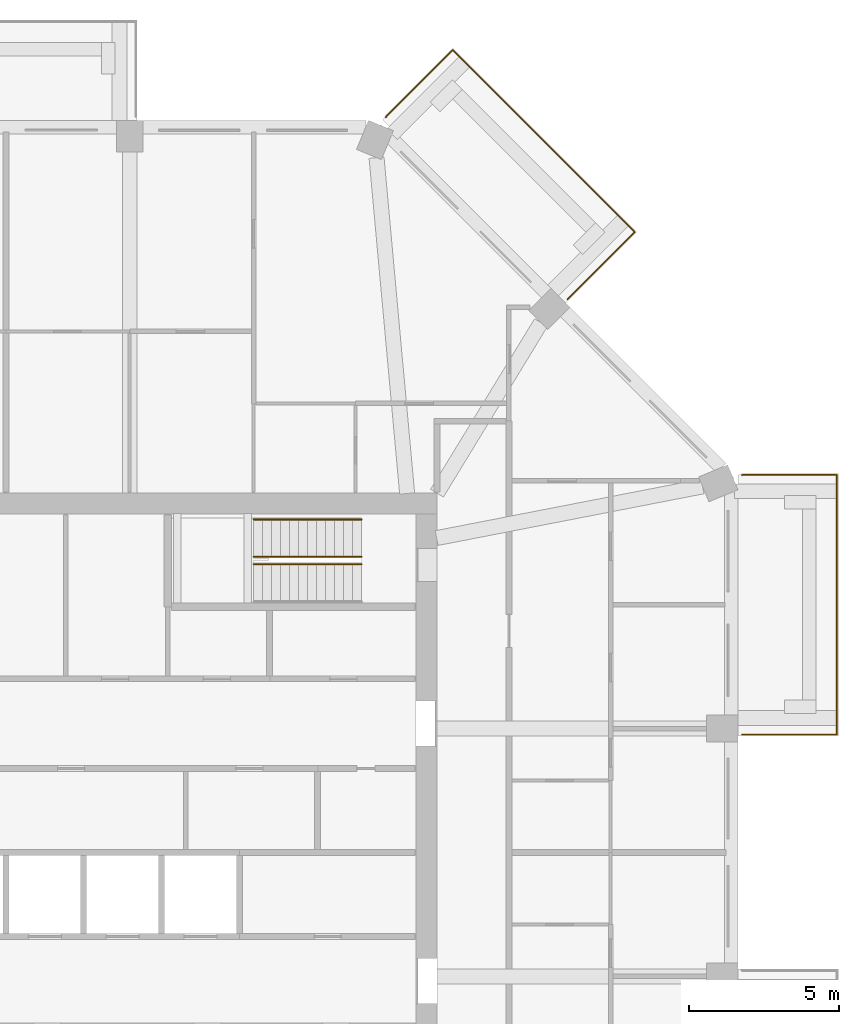
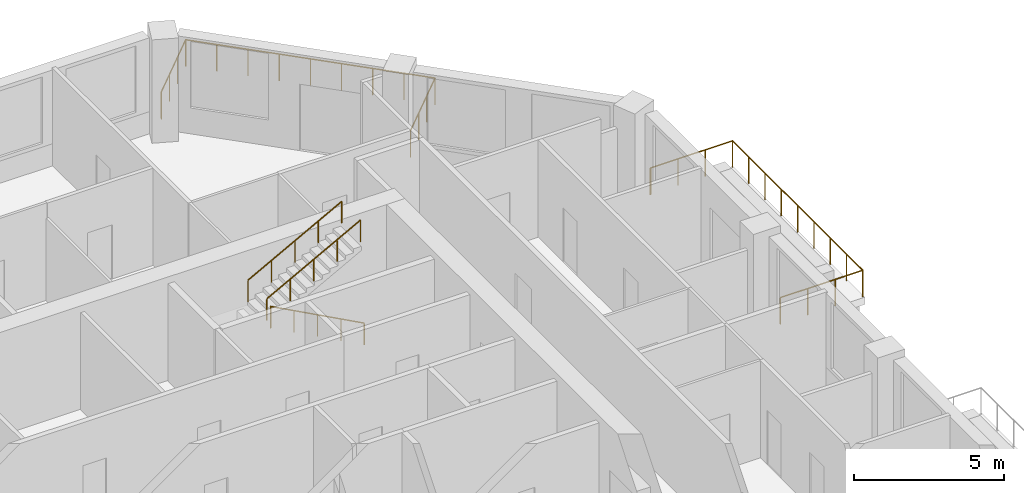
# One storey, part 12 of 12: 5 railings.
"""IFC4 building model written with IfcOpenShell, lengths in metres."""

from ifc_helpers import new_model, si_unit, direction, frame, origin, origin_2d, place, context, subcontext, project, spatial, circle, extrude, material, constituent, constituent_set, type_object, element, save


model = new_model("IFC4")

# Units and contexts
model_context = context("Model", 3, precision=1e-05, world=origin(), true_north=direction((0.0, 1.0)))
body_context = subcontext(model_context, "Body", "Model", "MODEL_VIEW")
ifc_project = project(units=[si_unit("LENGTHUNIT", "METRE"), si_unit("AREAUNIT", "SQUARE_METRE"), si_unit("VOLUMEUNIT", "CUBIC_METRE"), si_unit("PLANEANGLEUNIT", "RADIAN"), si_unit("MASSUNIT", "GRAM", prefix="KILO")], contexts=[model_context])

# Site, building, storey
site_placement = place(None, origin())
site = spatial("IfcSite", under=ifc_project, at=site_placement, CompositionType="ELEMENT")
building_placement = place(site_placement, origin())
building = spatial("IfcBuilding", under=site, at=building_placement, Name="Msitu Wima Residences", CompositionType="ELEMENT")
storey_placement = place(building_placement, frame((0.0, 0.0, 166.5)))
storey = spatial("IfcBuildingStorey", under=building, at=storey_placement, Name="L38", CompositionType="ELEMENT", Elevation=166.5)

# Railings
ifc_material_1 = material(Name="Steel S355", Category="steel")
ifc_constituent_1 = constituent(ifc_material_1, Name="Steel S355")
ifc_material_2 = material(Name="Weathering patina")
ifc_constituent_2 = constituent(ifc_material_2, Name="Weathering patina")
ifc_constituent_set_1 = constituent_set(constituents=[ifc_constituent_1, ifc_constituent_2], Name="Steel S355")
railing_type_1 = type_object("IfcRailingType", Name="Balcony guard GR1100", PredefinedType="GUARDRAIL", material=ifc_constituent_set_1)
railing_1_placement = place(storey_placement, frame((24.580078125, 12.597900390625, 0.0)))
element("IfcRailing", 1, at=railing_1_placement, inside=storey, type_object=railing_type_1, Name="Balcony guard E2 L38", PredefinedType="GUARDRAIL", context=body_context, shape_type="SweptSolid", body=[
    extrude(circle(Radius=0.02392578125, at=origin_2d()), frame((0.0, 0.0, 1.076171875), z_axis=(0.923276184907, 0.384136806859, 0.0), x_axis=(-0.384136806859, 0.923276184907, 0.0)), (0.0, 0.0, 1.0), 0.0361328125),
    extrude(circle(Radius=0.02392578125, at=origin_2d()), frame((0.033447265625, 0.013916015625, 1.076171875), z_axis=(1.0, 0.0, 0.0), x_axis=(0.0, 1.0, 0.0)), (0.0, 0.0, 1.0), 3.136474609375),
    extrude(circle(Radius=0.02392578125, at=origin_2d()), frame((3.169921875, 0.013916015625, 1.076171875), z_axis=(0.0, -1.0, 0.0), x_axis=(1.0, 0.0, 0.0)), (0.0, 0.0, 1.0), 8.674560546875),
    extrude(circle(Radius=0.02392578125, at=origin_2d()), frame((3.169921875, -8.66064453125, 1.076171875), z_axis=(-1.0, 0.0, 0.0), x_axis=(0.0, -1.0, 0.0)), (0.0, 0.0, 1.0), 3.169921875),
    extrude(circle(Radius=0.02099609375, at=origin_2d()), origin(), (0.0, 0.0, 1.0), 1.052001953125),
    extrude(circle(Radius=0.02099609375, at=origin_2d()), frame((0.033447265625, 0.013916015625, 0.0)), (0.0, 0.0, 1.0), 1.052001953125),
    extrude(circle(Radius=0.02099609375, at=origin_2d()), frame((1.078857421875, 0.013916015625, 0.0)), (0.0, 0.0, 1.0), 1.052001953125),
    extrude(circle(Radius=0.02099609375, at=origin_2d()), frame((2.12451171875, 0.013916015625, 0.0)), (0.0, 0.0, 1.0), 1.052001953125),
    extrude(circle(Radius=0.02099609375, at=origin_2d()), frame((3.169921875, 0.013916015625, 0.0)), (0.0, 0.0, 1.0), 1.052001953125),
    extrude(circle(Radius=0.02099609375, at=origin_2d()), frame((3.169921875, -1.0703125, 0.0)), (0.0, 0.0, 1.0), 1.052001953125),
    extrude(circle(Radius=0.02099609375, at=origin_2d()), frame((3.169921875, -2.15478515625, 0.0)), (0.0, 0.0, 1.0), 1.052001953125),
    extrude(circle(Radius=0.02099609375, at=origin_2d()), frame((3.169921875, -3.239013671875, 0.0)), (0.0, 0.0, 1.0), 1.052001953125),
    extrude(circle(Radius=0.02099609375, at=origin_2d()), frame((3.169921875, -4.3232421875, 0.0)), (0.0, 0.0, 1.0), 1.052001953125),
    extrude(circle(Radius=0.02099609375, at=origin_2d()), frame((3.169921875, -5.40771484375, 0.0)), (0.0, 0.0, 1.0), 1.052001953125),
    extrude(circle(Radius=0.02099609375, at=origin_2d()), frame((3.169921875, -6.491943359375, 0.0)), (0.0, 0.0, 1.0), 1.052001953125),
    extrude(circle(Radius=0.02099609375, at=origin_2d()), frame((3.169921875, -7.576416015625, 0.0)), (0.0, 0.0, 1.0), 1.052001953125),
    extrude(circle(Radius=0.02099609375, at=origin_2d()), frame((3.169921875, -8.66064453125, 0.0)), (0.0, 0.0, 1.0), 1.052001953125),
    extrude(circle(Radius=0.02099609375, at=origin_2d()), frame((2.11328125, -8.66064453125, 0.0)), (0.0, 0.0, 1.0), 1.052001953125),
    extrude(circle(Radius=0.02099609375, at=origin_2d()), frame((1.056640625, -8.66064453125, 0.0)), (0.0, 0.0, 1.0), 1.052001953125),
    extrude(circle(Radius=0.02099609375, at=origin_2d()), frame((0.0, -8.66064453125, 0.0)), (0.0, 0.0, 1.0), 1.052001953125),
])
railing_2_placement = place(storey_placement, frame((12.690185546875, 24.541748046875, 0.0)))
element("IfcRailing", 2, at=railing_2_placement, inside=storey, type_object=railing_type_1, Name="Balcony guard NE1 L38", PredefinedType="GUARDRAIL", context=body_context, shape_type="SweptSolid", body=[
    extrude(circle(Radius=0.02392578125, at=origin_2d()), frame((0.0, 0.0, 1.076171875), z_axis=(0.384136806859, 0.923276184907, 0.0), x_axis=(-0.923276184907, 0.384136806859, 0.0)), (0.0, 0.0, 1.0), 0.0361328125),
    extrude(circle(Radius=0.02392578125, at=origin_2d()), frame((0.013916015625, 0.033447265625, 1.076171875), z_axis=(0.707145698426, 0.707067861805, 0.0), x_axis=(-0.707067861805, 0.707145698426, 0.0)), (0.0, 0.0, 1.0), 3.136474609375),
    extrude(circle(Radius=0.02392578125, at=origin_2d()), frame((2.23193359375, 2.251220703125, 1.076171875), z_axis=(0.707106781187, -0.707106781187, 0.0), x_axis=(0.707106781187, 0.707106781187, 0.0)), (0.0, 0.0, 1.0), 8.593994140625),
    extrude(circle(Radius=0.02392578125, at=origin_2d()), frame((8.308837890625, -3.82568359375, 1.076171875), z_axis=(-0.707145287287, -0.707068272989, 0.0), x_axis=(0.707068272989, -0.707145287287, 0.0)), (0.0, 0.0, 1.0), 3.170166015625),
    extrude(circle(Radius=0.02099609375, at=origin_2d()), origin(), (0.0, 0.0, 1.0), 1.052001953125),
    extrude(circle(Radius=0.02099609375, at=origin_2d()), frame((0.013916015625, 0.033447265625, 0.0)), (0.0, 0.0, 1.0), 1.052001953125),
    extrude(circle(Radius=0.02099609375, at=origin_2d()), frame((0.753173828125, 0.772705078125, 0.0)), (0.0, 0.0, 1.0), 1.052001953125),
    extrude(circle(Radius=0.02099609375, at=origin_2d()), frame((1.49267578125, 1.511962890625, 0.0)), (0.0, 0.0, 1.0), 1.052001953125),
    extrude(circle(Radius=0.02099609375, at=origin_2d()), frame((2.23193359375, 2.251220703125, 0.0)), (0.0, 0.0, 1.0), 1.052001953125),
    extrude(circle(Radius=0.02099609375, at=origin_2d()), frame((2.991455078125, 1.49169921875, 0.0)), (0.0, 0.0, 1.0), 1.052001953125),
    extrude(circle(Radius=0.02099609375, at=origin_2d()), frame((3.751220703125, 0.73193359375, 0.0)), (0.0, 0.0, 1.0), 1.052001953125),
    extrude(circle(Radius=0.02099609375, at=origin_2d()), frame((4.5107421875, -0.027587890625, 0.0)), (0.0, 0.0, 1.0), 1.052001953125),
    extrude(circle(Radius=0.02099609375, at=origin_2d()), frame((5.2705078125, -0.787109375, 0.0)), (0.0, 0.0, 1.0), 1.052001953125),
    extrude(circle(Radius=0.02099609375, at=origin_2d()), frame((6.030029296875, -1.546875, 0.0)), (0.0, 0.0, 1.0), 1.052001953125),
    extrude(circle(Radius=0.02099609375, at=origin_2d()), frame((6.78955078125, -2.306396484375, 0.0)), (0.0, 0.0, 1.0), 1.052001953125),
    extrude(circle(Radius=0.02099609375, at=origin_2d()), frame((7.54931640625, -3.066162109375, 0.0)), (0.0, 0.0, 1.0), 1.052001953125),
    extrude(circle(Radius=0.02099609375, at=origin_2d()), frame((8.308837890625, -3.82568359375, 0.0)), (0.0, 0.0, 1.0), 1.052001953125),
    extrude(circle(Radius=0.02099609375, at=origin_2d()), frame((7.5615234375, -4.57275390625, 0.0)), (0.0, 0.0, 1.0), 1.052001953125),
    extrude(circle(Radius=0.02099609375, at=origin_2d()), frame((6.814453125, -5.320068359375, 0.0)), (0.0, 0.0, 1.0), 1.052001953125),
    extrude(circle(Radius=0.02099609375, at=origin_2d()), frame((6.067138671875, -6.067138671875, 0.0)), (0.0, 0.0, 1.0), 1.052001953125),
])
ifc_constituent_3 = constituent(ifc_material_1, Name="Steel S355")
ifc_material_3 = material(Name="Black powder coating")
ifc_constituent_4 = constituent(ifc_material_3, Name="Black powder coating")
ifc_constituent_set_2 = constituent_set(constituents=[ifc_constituent_3, ifc_constituent_4], Name="Steel S355")
railing_type_2 = type_object("IfcRailingType", Name="Stair handrail HR1", PredefinedType="HANDRAIL", material=ifc_constituent_set_2)
railing_3_placement = place(storey_placement, frame((11.875, 9.625, 0.16162109375)))
element("IfcRailing", 3, at=railing_3_placement, inside=storey, type_object=railing_type_2, Name="Stair 3 handrail", PredefinedType="HANDRAIL", context=body_context, shape_type="SweptSolid", body=[
    extrude(circle(Radius=0.02392578125, at=origin_2d()), frame((0.0, 0.0, 0.8759765625), z_axis=(-0.880474934443, 0.0, 0.474092701714), x_axis=(0.0, -1.0, 0.0)), (0.0, 0.0, 1.0), 4.0888671875),
    extrude(circle(Radius=0.02099609375, at=origin_2d()), origin(), (0.0, 0.0, 1.0), 0.851806640625),
    extrude(circle(Radius=0.02099609375, at=origin_2d()), frame((-0.89990234375, 0.0, 0.484619140625)), (0.0, 0.0, 1.0), 0.851806640625),
    extrude(circle(Radius=0.02099609375, at=origin_2d()), frame((-1.800048828125, 0.0, 0.96923828125)), (0.0, 0.0, 1.0), 0.851806640625),
    extrude(circle(Radius=0.02099609375, at=origin_2d()), frame((-2.7001953125, 0.0, 1.453857421875)), (0.0, 0.0, 1.0), 0.851806640625),
    extrude(circle(Radius=0.02099609375, at=origin_2d()), frame((-3.60009765625, 0.0, 1.9384765625)), (0.0, 0.0, 1.0), 0.851806640625),
])
for number, where, name in (
    (4, (8.27490234375, 9.875, 2.261474609375), "Stair 3 handrail"),
    (5, (8.27490234375, 11.125, 2.261474609375), "Stair 3 handrail"),
):
    element("IfcRailing", number, at=place(storey_placement, frame(where)), inside=storey, type_object=railing_type_2, Name=name, PredefinedType="HANDRAIL", context=body_context, shape_type="SweptSolid", body=[
        extrude(circle(Radius=0.02392578125, at=origin_2d()), frame((0.0, 0.0, 0.8759765625), z_axis=(0.880474934443, 0.0, 0.474092701714), x_axis=(0.0, 1.0, 0.0)), (0.0, 0.0, 1.0), 4.0888671875),
        extrude(circle(Radius=0.02099609375, at=origin_2d()), origin(), (0.0, 0.0, 1.0), 0.851806640625),
        extrude(circle(Radius=0.02099609375, at=origin_2d()), frame((0.89990234375, 0.0, 0.484619140625)), (0.0, 0.0, 1.0), 0.851806640625),
        extrude(circle(Radius=0.02099609375, at=origin_2d()), frame((1.800048828125, 0.0, 0.96923828125)), (0.0, 0.0, 1.0), 0.851806640625),
        extrude(circle(Radius=0.02099609375, at=origin_2d()), frame((2.7001953125, 0.0, 1.453857421875)), (0.0, 0.0, 1.0), 0.851806640625),
        extrude(circle(Radius=0.02099609375, at=origin_2d()), frame((3.60009765625, 0.0, 1.9384765625)), (0.0, 0.0, 1.0), 0.851806640625),
    ])

save(model, "model.ifc")
